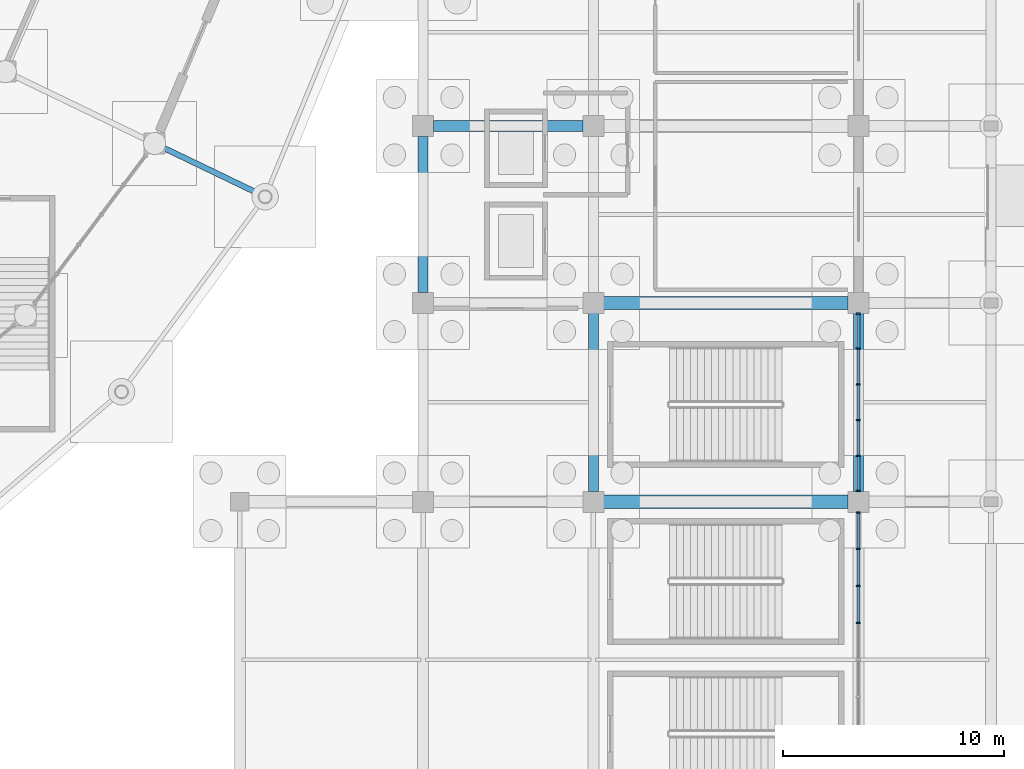
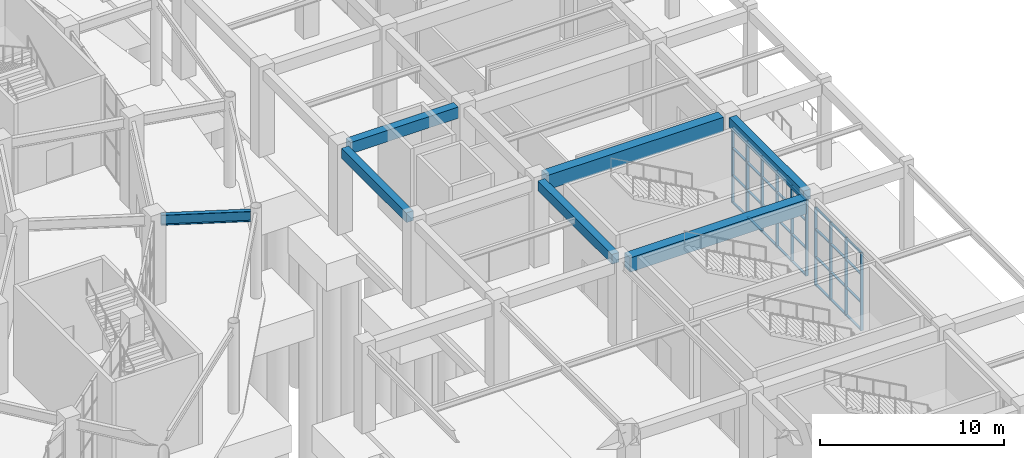
# One storey, part 55 of 121: 42 members, 7 beams, 2 elements without a shape of their own.
"""IFC4 building model written with IfcOpenShell, lengths in metres."""

from ifc_helpers import new_model, si_unit, direction, frame, origin, origin_2d, place, context, subcontext, project, spatial, rectangle, i_section, extrude, material, material_profile, profile_set, type_object, element, aggregate, save


model = new_model("IFC4")

# Units and contexts
model_context = context("Model", 3, precision=1e-05, world=origin(), true_north=direction((0.0, 1.0)))
body_context = subcontext(model_context, "Body", "Model", "MODEL_VIEW")
ifc_project = project(units=[si_unit("LENGTHUNIT", "METRE"), si_unit("AREAUNIT", "SQUARE_METRE"), si_unit("VOLUMEUNIT", "CUBIC_METRE"), si_unit("PLANEANGLEUNIT", "RADIAN"), si_unit("MASSUNIT", "GRAM", prefix="KILO")], contexts=[model_context])

# Site, building, storey
site_placement = place(None, origin())
site = spatial("IfcSite", under=ifc_project, at=site_placement, CompositionType="ELEMENT")
building_placement = place(site_placement, origin())
building = spatial("IfcBuilding", under=site, at=building_placement, Name="Cuetzalor Civic Arena", CompositionType="ELEMENT")
storey_placement = place(building_placement, origin())
storey = spatial("IfcBuildingStorey", under=building, at=storey_placement, Name="L00", CompositionType="ELEMENT", Elevation=0.0)

# Beams
ifc_material_1 = material(Name="Concrete C40/50", Category="concrete")
ifc_material_profile_1 = material_profile(ifc_material_1, rectangle(XDim=0.5, YDim=0.75, at=origin_2d()), Name="RC 500x750")
ifc_profile_set_1 = profile_set([ifc_material_profile_1], Name="Concrete C40/50")
beam_type_1 = type_object("IfcBeamType", Name="ConcreteFrameBeam_500x750", PredefinedType="BEAM", material=ifc_profile_set_1)
beam_1_placement = place(storey_placement, frame((56.764892578125, -17.0, 5.324951171875), z_axis=(1.0, 0.0, 0.0), x_axis=(0.0, 1.0, 0.0)))
element("IfcBeam", 1, at=beam_1_placement, inside=storey, type_object=beam_type_1, Name="Frame Girder V4E-L00-X0150", PredefinedType="BEAM", context=body_context, shape_type="SweptSolid", body=[
    extrude(rectangle(XDim=0.5, YDim=0.75, at=origin_2d()), origin(), (0.0, 0.0, 1.0), 6.77001953125),
])
ifc_material_2 = material(Name="Concrete C40/50", Category="concrete")
ifc_material_profile_2 = material_profile(ifc_material_2, rectangle(XDim=0.60009765625, YDim=0.949951171875, at=origin_2d()), Name="RC 600x950")
ifc_profile_set_2 = profile_set([ifc_material_profile_2], Name="Concrete C40/50")
beam_type_2 = type_object("IfcBeamType", Name="ConcreteFrameBeam_600x950", PredefinedType="BEAM", material=ifc_profile_set_2)
for number, where, z_axis, x_axis, name in (
    (2, (64.465087890625, -34.0, 5.22509765625), (1.0, 0.0, 0.0), (0.0, 1.0, 0.0), "Frame Girder V4E-L00-X0145"),
    (3, (64.465087890625, -25.0, 5.22509765625), (1.0, 0.0, 0.0), (0.0, 1.0, 0.0), "Frame Girder V4E-L00-X0148"),
):
    element("IfcBeam", number, at=place(storey_placement, frame(where, z_axis=z_axis, x_axis=x_axis)), inside=storey, type_object=beam_type_2, Name=name, PredefinedType="BEAM", context=body_context, shape_type="SweptSolid", body=[
        extrude(rectangle(XDim=0.60009765625, YDim=0.949951171875, at=origin_2d()), origin(), (0.0, 0.0, 1.0), 11.06982421875),
    ])
ifc_material_3 = material(Name="Concrete C40/50", Category="concrete")
ifc_material_profile_3 = material_profile(ifc_material_3, rectangle(XDim=0.449951171875, YDim=0.64990234375, at=origin_2d()), Name="RC 450x650")
ifc_profile_set_3 = profile_set([ifc_material_profile_3], Name="Concrete C40/50")
beam_type_3 = type_object("IfcBeamType", Name="ConcreteTieBeam_450x650", PredefinedType="BEAM", material=ifc_profile_set_3)
beam_2_placement = place(storey_placement, frame((56.300048828125, -24.534912109375, 5.375), z_axis=(0.0, 1.0, 0.0), x_axis=(-1.0, 0.0, 0.0)))
element("IfcBeam", 4, at=beam_2_placement, inside=storey, type_object=beam_type_3, Name="Frame Girder V4E-L00-Y0176", PredefinedType="BEAM", context=body_context, shape_type="SweptSolid", body=[
    extrude(rectangle(XDim=0.449951171875, YDim=0.64990234375, at=origin_2d()), origin(), (0.0, 0.0, 1.0), 7.06982421875),
])
for number, where, z_axis, x_axis, name in (
    (5, (64.0, -33.534912109375, 5.375), (0.0, 1.0, 0.0), (-1.0, 0.0, 0.0), "Frame Girder V4E-L00-Y0185"),
    (6, (76.0, -33.534912109375, 5.375), (0.0, 1.0, 0.0), (-1.0, 0.0, 0.0), "Frame Girder V4E-L00-Y0195"),
):
    element("IfcBeam", number, at=place(storey_placement, frame(where, z_axis=z_axis, x_axis=x_axis)), inside=storey, type_object=beam_type_3, Name=name, PredefinedType="BEAM", context=body_context, shape_type="SweptSolid", body=[
        extrude(rectangle(XDim=0.449951171875, YDim=0.64990234375, at=origin_2d()), origin(), (0.0, 0.0, 1.0), 8.06982421875),
    ])

# Curtain wall, members
ifc_material_4 = material(Name="Anodised dark bronze aluminium and low-E solar glass", Category="aluminium")
curtain_wall_type_1 = type_object("IfcCurtainWallType", Name="UnitisedCW_13400x5150", PredefinedType="USERDEFINED", material=ifc_material_4)
curtain_wall_1_placement = place(storey_placement, origin())
curtain_wall_1 = element("IfcCurtainWall", 7, at=curtain_wall_1_placement, inside=storey, type_object=curtain_wall_type_1, Name="V4E Colonnade Curtain Wall L00-131", ObjectType="UNITISED CURTAIN WALL", PredefinedType="USERDEFINED")
ifc_material_5 = material(Name="Anodised dark bronze aluminium", Category="aluminium")
ifc_material_profile_4 = material_profile(ifc_material_5, rectangle(XDim=0.070068359375, YDim=0.179931640625, at=origin_2d()), Name="ALU MULLION 70x180")
ifc_profile_set_4 = profile_set([ifc_material_profile_4], Name="Anodised dark bronze aluminium")
member_type_1 = type_object("IfcMemberType", Name="CurtainWallMullion_65x180", PredefinedType="MULLION", material=ifc_profile_set_4)
member_1_placement = place(storey_placement, frame((76.0, -34.491943359375, 0.0), z_axis=(0.0, 0.0, 1.0), x_axis=(0.0, -1.0, 0.0)))
member_1 = element("IfcMember", 8, at=member_1_placement, type_object=member_type_1, Name="CW-32 mullion 1", PredefinedType="MULLION", context=body_context, shape_type="SweptSolid", body=[
    extrude(rectangle(XDim=0.070068359375, YDim=0.179931640625, at=origin_2d()), origin(), (0.0, 0.0, 1.0), 5.156982421875),
])
member_2_placement = place(storey_placement, frame((76.0, -36.13037109375, 0.0), z_axis=(0.0, 0.0, 1.0), x_axis=(0.0, -1.0, 0.0)))
member_2 = element("IfcMember", 9, at=member_2_placement, type_object=member_type_1, Name="CW-32 mullion 2", PredefinedType="MULLION", context=body_context, shape_type="SweptSolid", body=[
    extrude(rectangle(XDim=0.070068359375, YDim=0.179931640625, at=origin_2d()), origin(), (0.0, 0.0, 1.0), 5.156982421875),
])
member_3_placement = place(storey_placement, frame((76.0, -37.803466796875, 0.0), z_axis=(0.0, 0.0, 1.0), x_axis=(0.0, -1.0, 0.0)))
member_3 = element("IfcMember", 10, at=member_3_placement, type_object=member_type_1, Name="CW-32 mullion 3", PredefinedType="MULLION", context=body_context, shape_type="SweptSolid", body=[
    extrude(rectangle(XDim=0.070068359375, YDim=0.179931640625, at=origin_2d()), origin(), (0.0, 0.0, 1.0), 5.156982421875),
])
member_4_placement = place(storey_placement, frame((76.0, -39.476806640625, 0.0), z_axis=(0.0, 0.0, 1.0), x_axis=(0.0, -1.0, 0.0)))
member_4 = element("IfcMember", 11, at=member_4_placement, type_object=member_type_1, Name="CW-32 mullion 4", PredefinedType="MULLION", context=body_context, shape_type="SweptSolid", body=[
    extrude(rectangle(XDim=0.070068359375, YDim=0.179931640625, at=origin_2d()), origin(), (0.0, 0.0, 1.0), 5.156982421875),
])

ifc_material_6 = material(Name="Anodised dark bronze aluminium and low-E solar glass", Category="aluminium")
curtain_wall_type_2 = type_object("IfcCurtainWallType", Name="UnitisedCW_8100x5050", PredefinedType="USERDEFINED", material=ifc_material_6)
curtain_wall_2_placement = place(storey_placement, origin())
curtain_wall_2 = element("IfcCurtainWall", 12, at=curtain_wall_2_placement, inside=storey, type_object=curtain_wall_type_2, Name="V4E Colonnade Curtain Wall L00-132", ObjectType="UNITISED CURTAIN WALL", PredefinedType="USERDEFINED")
member_5_placement = place(storey_placement, frame((76.0, -25.491943359375, 0.0), z_axis=(0.0, 0.0, 1.0), x_axis=(0.0, -1.0, 0.0)))
member_5 = element("IfcMember", 13, at=member_5_placement, type_object=member_type_1, Name="CW-33 mullion 1", PredefinedType="MULLION", context=body_context, shape_type="SweptSolid", body=[
    extrude(rectangle(XDim=0.070068359375, YDim=0.179931640625, at=origin_2d()), origin(), (0.0, 0.0, 1.0), 5.0400390625),
])
member_6_placement = place(storey_placement, frame((76.0, -27.07421875, 0.0), z_axis=(0.0, 0.0, 1.0), x_axis=(0.0, -1.0, 0.0)))
member_6 = element("IfcMember", 14, at=member_6_placement, type_object=member_type_1, Name="CW-33 mullion 2", PredefinedType="MULLION", context=body_context, shape_type="SweptSolid", body=[
    extrude(rectangle(XDim=0.070068359375, YDim=0.179931640625, at=origin_2d()), origin(), (0.0, 0.0, 1.0), 5.0400390625),
])
member_7_placement = place(storey_placement, frame((76.0, -28.69140625, 0.0), z_axis=(0.0, 0.0, 1.0), x_axis=(0.0, -1.0, 0.0)))
member_7 = element("IfcMember", 15, at=member_7_placement, type_object=member_type_1, Name="CW-33 mullion 3", PredefinedType="MULLION", context=body_context, shape_type="SweptSolid", body=[
    extrude(rectangle(XDim=0.070068359375, YDim=0.179931640625, at=origin_2d()), origin(), (0.0, 0.0, 1.0), 5.0400390625),
])
member_8_placement = place(storey_placement, frame((76.0, -30.30859375, 0.0), z_axis=(0.0, 0.0, 1.0), x_axis=(0.0, -1.0, 0.0)))
member_8 = element("IfcMember", 16, at=member_8_placement, type_object=member_type_1, Name="CW-33 mullion 4", PredefinedType="MULLION", context=body_context, shape_type="SweptSolid", body=[
    extrude(rectangle(XDim=0.070068359375, YDim=0.179931640625, at=origin_2d()), origin(), (0.0, 0.0, 1.0), 5.0400390625),
])
member_9_placement = place(storey_placement, frame((76.0, -31.92578125, 0.0), z_axis=(0.0, 0.0, 1.0), x_axis=(0.0, -1.0, 0.0)))
member_9 = element("IfcMember", 17, at=member_9_placement, type_object=member_type_1, Name="CW-33 mullion 5", PredefinedType="MULLION", context=body_context, shape_type="SweptSolid", body=[
    extrude(rectangle(XDim=0.070068359375, YDim=0.179931640625, at=origin_2d()), origin(), (0.0, 0.0, 1.0), 5.0400390625),
])
member_10_placement = place(storey_placement, frame((76.0, -33.508056640625, 0.0), z_axis=(0.0, 0.0, 1.0), x_axis=(0.0, -1.0, 0.0)))
member_10 = element("IfcMember", 18, at=member_10_placement, type_object=member_type_1, Name="CW-33 mullion 6", PredefinedType="MULLION", context=body_context, shape_type="SweptSolid", body=[
    extrude(rectangle(XDim=0.070068359375, YDim=0.179931640625, at=origin_2d()), origin(), (0.0, 0.0, 1.0), 5.0400390625),
])

# Member
ifc_material_7 = material(Name="Anodised dark bronze aluminium", Category="aluminium")
ifc_material_profile_5 = material_profile(ifc_material_7, rectangle(XDim=0.139892578125, YDim=0.070068359375, at=origin_2d()), Name="ALU TRANSOM 70x140")
ifc_profile_set_5 = profile_set([ifc_material_profile_5], Name="Anodised dark bronze aluminium")
member_type_2 = type_object("IfcMemberType", Name="CurtainWallTransom_65x140", PredefinedType="USERDEFINED", material=ifc_profile_set_5)
member_11_placement = place(storey_placement, frame((76.0, -34.527099609375, 0.034912109375), z_axis=(0.0, -1.0, 0.0), x_axis=(1.0, 0.0, 0.0)))
member_11 = element("IfcMember", 19, at=member_11_placement, type_object=member_type_2, Name="CW-32 transom 1.1", ObjectType="TRANSOM", PredefinedType="USERDEFINED", context=body_context, shape_type="SweptSolid", body=[
    extrude(rectangle(XDim=0.139892578125, YDim=0.070068359375, at=origin_2d()), origin(), (0.0, 0.0, 1.0), 1.568115234375),
])

member_12_placement = place(storey_placement, frame((76.0, -34.527099609375, 1.85693359375), z_axis=(0.0, -1.0, 0.0), x_axis=(1.0, 0.0, 0.0)))
member_12 = element("IfcMember", 20, at=member_12_placement, type_object=member_type_2, Name="CW-32 transom 1.2", ObjectType="TRANSOM", PredefinedType="USERDEFINED", context=body_context, shape_type="SweptSolid", body=[
    extrude(rectangle(XDim=0.139892578125, YDim=0.070068359375, at=origin_2d()), origin(), (0.0, 0.0, 1.0), 1.568115234375),
])

member_13_placement = place(storey_placement, frame((76.0, -34.527099609375, 3.712890625), z_axis=(0.0, -1.0, 0.0), x_axis=(1.0, 0.0, 0.0)))
member_13 = element("IfcMember", 21, at=member_13_placement, type_object=member_type_2, Name="CW-32 transom 1.3", ObjectType="TRANSOM", PredefinedType="USERDEFINED", context=body_context, shape_type="SweptSolid", body=[
    extrude(rectangle(XDim=0.139892578125, YDim=0.070068359375, at=origin_2d()), origin(), (0.0, 0.0, 1.0), 1.568115234375),
])

member_14_placement = place(storey_placement, frame((76.0, -34.527099609375, 5.1220703125), z_axis=(0.0, -1.0, 0.0), x_axis=(1.0, 0.0, 0.0)))
member_14 = element("IfcMember", 22, at=member_14_placement, type_object=member_type_2, Name="CW-32 transom 1.4", ObjectType="TRANSOM", PredefinedType="USERDEFINED", context=body_context, shape_type="SweptSolid", body=[
    extrude(rectangle(XDim=0.139892578125, YDim=0.070068359375, at=origin_2d()), origin(), (0.0, 0.0, 1.0), 1.568115234375),
])

member_15_placement = place(storey_placement, frame((76.0, -36.165283203125, 0.034912109375), z_axis=(0.0, -1.0, 0.0), x_axis=(1.0, 0.0, 0.0)))
member_15 = element("IfcMember", 23, at=member_15_placement, type_object=member_type_2, Name="CW-32 transom 2.1", ObjectType="TRANSOM", PredefinedType="USERDEFINED", context=body_context, shape_type="SweptSolid", body=[
    extrude(rectangle(XDim=0.139892578125, YDim=0.070068359375, at=origin_2d()), origin(), (0.0, 0.0, 1.0), 1.603271484375),
])

member_16_placement = place(storey_placement, frame((76.0, -36.165283203125, 1.85693359375), z_axis=(0.0, -1.0, 0.0), x_axis=(1.0, 0.0, 0.0)))
member_16 = element("IfcMember", 24, at=member_16_placement, type_object=member_type_2, Name="CW-32 transom 2.2", ObjectType="TRANSOM", PredefinedType="USERDEFINED", context=body_context, shape_type="SweptSolid", body=[
    extrude(rectangle(XDim=0.139892578125, YDim=0.070068359375, at=origin_2d()), origin(), (0.0, 0.0, 1.0), 1.603271484375),
])

member_17_placement = place(storey_placement, frame((76.0, -36.165283203125, 3.712890625), z_axis=(0.0, -1.0, 0.0), x_axis=(1.0, 0.0, 0.0)))
member_17 = element("IfcMember", 25, at=member_17_placement, type_object=member_type_2, Name="CW-32 transom 2.3", ObjectType="TRANSOM", PredefinedType="USERDEFINED", context=body_context, shape_type="SweptSolid", body=[
    extrude(rectangle(XDim=0.139892578125, YDim=0.070068359375, at=origin_2d()), origin(), (0.0, 0.0, 1.0), 1.603271484375),
])

member_18_placement = place(storey_placement, frame((76.0, -36.165283203125, 5.1220703125), z_axis=(0.0, -1.0, 0.0), x_axis=(1.0, 0.0, 0.0)))
member_18 = element("IfcMember", 26, at=member_18_placement, type_object=member_type_2, Name="CW-32 transom 2.4", ObjectType="TRANSOM", PredefinedType="USERDEFINED", context=body_context, shape_type="SweptSolid", body=[
    extrude(rectangle(XDim=0.139892578125, YDim=0.070068359375, at=origin_2d()), origin(), (0.0, 0.0, 1.0), 1.603271484375),
])

member_19_placement = place(storey_placement, frame((76.0, -37.83837890625, 0.034912109375), z_axis=(0.0, -1.0, 0.0), x_axis=(1.0, 0.0, 0.0)))
member_19 = element("IfcMember", 27, at=member_19_placement, type_object=member_type_2, Name="CW-32 transom 3.1", ObjectType="TRANSOM", PredefinedType="USERDEFINED", context=body_context, shape_type="SweptSolid", body=[
    extrude(rectangle(XDim=0.139892578125, YDim=0.070068359375, at=origin_2d()), origin(), (0.0, 0.0, 1.0), 1.603271484375),
])

member_20_placement = place(storey_placement, frame((76.0, -37.83837890625, 1.85693359375), z_axis=(0.0, -1.0, 0.0), x_axis=(1.0, 0.0, 0.0)))
member_20 = element("IfcMember", 28, at=member_20_placement, type_object=member_type_2, Name="CW-32 transom 3.2", ObjectType="TRANSOM", PredefinedType="USERDEFINED", context=body_context, shape_type="SweptSolid", body=[
    extrude(rectangle(XDim=0.139892578125, YDim=0.070068359375, at=origin_2d()), origin(), (0.0, 0.0, 1.0), 1.603271484375),
])

member_21_placement = place(storey_placement, frame((76.0, -37.83837890625, 3.712890625), z_axis=(0.0, -1.0, 0.0), x_axis=(1.0, 0.0, 0.0)))
member_21 = element("IfcMember", 29, at=member_21_placement, type_object=member_type_2, Name="CW-32 transom 3.3", ObjectType="TRANSOM", PredefinedType="USERDEFINED", context=body_context, shape_type="SweptSolid", body=[
    extrude(rectangle(XDim=0.139892578125, YDim=0.070068359375, at=origin_2d()), origin(), (0.0, 0.0, 1.0), 1.603271484375),
])

member_22_placement = place(storey_placement, frame((76.0, -37.83837890625, 5.1220703125), z_axis=(0.0, -1.0, 0.0), x_axis=(1.0, 0.0, 0.0)))
member_22 = element("IfcMember", 30, at=member_22_placement, type_object=member_type_2, Name="CW-32 transom 3.4", ObjectType="TRANSOM", PredefinedType="USERDEFINED", context=body_context, shape_type="SweptSolid", body=[
    extrude(rectangle(XDim=0.139892578125, YDim=0.070068359375, at=origin_2d()), origin(), (0.0, 0.0, 1.0), 1.603271484375),
])

aggregate(curtain_wall_1, [member_1, member_2, member_3, member_4, member_11, member_12, member_13, member_14, member_15, member_16, member_17, member_18, member_19, member_20, member_21, member_22])

member_23_placement = place(storey_placement, frame((76.0, -25.527099609375, 0.034912109375), z_axis=(0.0, -1.0, 0.0), x_axis=(1.0, 0.0, 0.0)))
member_23 = element("IfcMember", 31, at=member_23_placement, type_object=member_type_2, Name="CW-33 transom 1.1", ObjectType="TRANSOM", PredefinedType="USERDEFINED", context=body_context, shape_type="SweptSolid", body=[
    extrude(rectangle(XDim=0.139892578125, YDim=0.070068359375, at=origin_2d()), origin(), (0.0, 0.0, 1.0), 1.51220703125),
])

member_24_placement = place(storey_placement, frame((76.0, -25.527099609375, 1.81396484375), z_axis=(0.0, -1.0, 0.0), x_axis=(1.0, 0.0, 0.0)))
member_24 = element("IfcMember", 32, at=member_24_placement, type_object=member_type_2, Name="CW-33 transom 1.2", ObjectType="TRANSOM", PredefinedType="USERDEFINED", context=body_context, shape_type="SweptSolid", body=[
    extrude(rectangle(XDim=0.139892578125, YDim=0.070068359375, at=origin_2d()), origin(), (0.0, 0.0, 1.0), 1.51220703125),
])

member_25_placement = place(storey_placement, frame((76.0, -25.527099609375, 3.62890625), z_axis=(0.0, -1.0, 0.0), x_axis=(1.0, 0.0, 0.0)))
member_25 = element("IfcMember", 33, at=member_25_placement, type_object=member_type_2, Name="CW-33 transom 1.3", ObjectType="TRANSOM", PredefinedType="USERDEFINED", context=body_context, shape_type="SweptSolid", body=[
    extrude(rectangle(XDim=0.139892578125, YDim=0.070068359375, at=origin_2d()), origin(), (0.0, 0.0, 1.0), 1.51220703125),
])

member_26_placement = place(storey_placement, frame((76.0, -25.527099609375, 5.0048828125), z_axis=(0.0, -1.0, 0.0), x_axis=(1.0, 0.0, 0.0)))
member_26 = element("IfcMember", 34, at=member_26_placement, type_object=member_type_2, Name="CW-33 transom 1.4", ObjectType="TRANSOM", PredefinedType="USERDEFINED", context=body_context, shape_type="SweptSolid", body=[
    extrude(rectangle(XDim=0.139892578125, YDim=0.070068359375, at=origin_2d()), origin(), (0.0, 0.0, 1.0), 1.51220703125),
])

member_27_placement = place(storey_placement, frame((76.0, -27.109130859375, 0.034912109375), z_axis=(0.0, -1.0, 0.0), x_axis=(1.0, 0.0, 0.0)))
member_27 = element("IfcMember", 35, at=member_27_placement, type_object=member_type_2, Name="CW-33 transom 2.1", ObjectType="TRANSOM", PredefinedType="USERDEFINED", context=body_context, shape_type="SweptSolid", body=[
    extrude(rectangle(XDim=0.139892578125, YDim=0.070068359375, at=origin_2d()), origin(), (0.0, 0.0, 1.0), 1.54736328125),
])

member_28_placement = place(storey_placement, frame((76.0, -27.109130859375, 1.81396484375), z_axis=(0.0, -1.0, 0.0), x_axis=(1.0, 0.0, 0.0)))
member_28 = element("IfcMember", 36, at=member_28_placement, type_object=member_type_2, Name="CW-33 transom 2.2", ObjectType="TRANSOM", PredefinedType="USERDEFINED", context=body_context, shape_type="SweptSolid", body=[
    extrude(rectangle(XDim=0.139892578125, YDim=0.070068359375, at=origin_2d()), origin(), (0.0, 0.0, 1.0), 1.54736328125),
])

member_29_placement = place(storey_placement, frame((76.0, -27.109130859375, 3.62890625), z_axis=(0.0, -1.0, 0.0), x_axis=(1.0, 0.0, 0.0)))
member_29 = element("IfcMember", 37, at=member_29_placement, type_object=member_type_2, Name="CW-33 transom 2.3", ObjectType="TRANSOM", PredefinedType="USERDEFINED", context=body_context, shape_type="SweptSolid", body=[
    extrude(rectangle(XDim=0.139892578125, YDim=0.070068359375, at=origin_2d()), origin(), (0.0, 0.0, 1.0), 1.54736328125),
])

member_30_placement = place(storey_placement, frame((76.0, -27.109130859375, 5.0048828125), z_axis=(0.0, -1.0, 0.0), x_axis=(1.0, 0.0, 0.0)))
member_30 = element("IfcMember", 38, at=member_30_placement, type_object=member_type_2, Name="CW-33 transom 2.4", ObjectType="TRANSOM", PredefinedType="USERDEFINED", context=body_context, shape_type="SweptSolid", body=[
    extrude(rectangle(XDim=0.139892578125, YDim=0.070068359375, at=origin_2d()), origin(), (0.0, 0.0, 1.0), 1.54736328125),
])

member_31_placement = place(storey_placement, frame((76.0, -28.726318359375, 0.034912109375), z_axis=(0.0, -1.0, 0.0), x_axis=(1.0, 0.0, 0.0)))
member_31 = element("IfcMember", 39, at=member_31_placement, type_object=member_type_2, Name="CW-33 transom 3.1", ObjectType="TRANSOM", PredefinedType="USERDEFINED", context=body_context, shape_type="SweptSolid", body=[
    extrude(rectangle(XDim=0.139892578125, YDim=0.070068359375, at=origin_2d()), origin(), (0.0, 0.0, 1.0), 1.54736328125),
])

member_32_placement = place(storey_placement, frame((76.0, -28.726318359375, 1.81396484375), z_axis=(0.0, -1.0, 0.0), x_axis=(1.0, 0.0, 0.0)))
member_32 = element("IfcMember", 40, at=member_32_placement, type_object=member_type_2, Name="CW-33 transom 3.2", ObjectType="TRANSOM", PredefinedType="USERDEFINED", context=body_context, shape_type="SweptSolid", body=[
    extrude(rectangle(XDim=0.139892578125, YDim=0.070068359375, at=origin_2d()), origin(), (0.0, 0.0, 1.0), 1.54736328125),
])

member_33_placement = place(storey_placement, frame((76.0, -28.726318359375, 3.62890625), z_axis=(0.0, -1.0, 0.0), x_axis=(1.0, 0.0, 0.0)))
member_33 = element("IfcMember", 41, at=member_33_placement, type_object=member_type_2, Name="CW-33 transom 3.3", ObjectType="TRANSOM", PredefinedType="USERDEFINED", context=body_context, shape_type="SweptSolid", body=[
    extrude(rectangle(XDim=0.139892578125, YDim=0.070068359375, at=origin_2d()), origin(), (0.0, 0.0, 1.0), 1.54736328125),
])

member_34_placement = place(storey_placement, frame((76.0, -28.726318359375, 5.0048828125), z_axis=(0.0, -1.0, 0.0), x_axis=(1.0, 0.0, 0.0)))
member_34 = element("IfcMember", 42, at=member_34_placement, type_object=member_type_2, Name="CW-33 transom 3.4", ObjectType="TRANSOM", PredefinedType="USERDEFINED", context=body_context, shape_type="SweptSolid", body=[
    extrude(rectangle(XDim=0.139892578125, YDim=0.070068359375, at=origin_2d()), origin(), (0.0, 0.0, 1.0), 1.54736328125),
])

member_35_placement = place(storey_placement, frame((76.0, -30.343505859375, 0.034912109375), z_axis=(0.0, -1.0, 0.0), x_axis=(1.0, 0.0, 0.0)))
member_35 = element("IfcMember", 43, at=member_35_placement, type_object=member_type_2, Name="CW-33 transom 4.1", ObjectType="TRANSOM", PredefinedType="USERDEFINED", context=body_context, shape_type="SweptSolid", body=[
    extrude(rectangle(XDim=0.139892578125, YDim=0.070068359375, at=origin_2d()), origin(), (0.0, 0.0, 1.0), 1.54736328125),
])

member_36_placement = place(storey_placement, frame((76.0, -30.343505859375, 1.81396484375), z_axis=(0.0, -1.0, 0.0), x_axis=(1.0, 0.0, 0.0)))
member_36 = element("IfcMember", 44, at=member_36_placement, type_object=member_type_2, Name="CW-33 transom 4.2", ObjectType="TRANSOM", PredefinedType="USERDEFINED", context=body_context, shape_type="SweptSolid", body=[
    extrude(rectangle(XDim=0.139892578125, YDim=0.070068359375, at=origin_2d()), origin(), (0.0, 0.0, 1.0), 1.54736328125),
])

member_37_placement = place(storey_placement, frame((76.0, -30.343505859375, 3.62890625), z_axis=(0.0, -1.0, 0.0), x_axis=(1.0, 0.0, 0.0)))
member_37 = element("IfcMember", 45, at=member_37_placement, type_object=member_type_2, Name="CW-33 transom 4.3", ObjectType="TRANSOM", PredefinedType="USERDEFINED", context=body_context, shape_type="SweptSolid", body=[
    extrude(rectangle(XDim=0.139892578125, YDim=0.070068359375, at=origin_2d()), origin(), (0.0, 0.0, 1.0), 1.54736328125),
])

member_38_placement = place(storey_placement, frame((76.0, -30.343505859375, 5.0048828125), z_axis=(0.0, -1.0, 0.0), x_axis=(1.0, 0.0, 0.0)))
member_38 = element("IfcMember", 46, at=member_38_placement, type_object=member_type_2, Name="CW-33 transom 4.4", ObjectType="TRANSOM", PredefinedType="USERDEFINED", context=body_context, shape_type="SweptSolid", body=[
    extrude(rectangle(XDim=0.139892578125, YDim=0.070068359375, at=origin_2d()), origin(), (0.0, 0.0, 1.0), 1.54736328125),
])

member_39_placement = place(storey_placement, frame((76.0, -31.960693359375, 0.034912109375), z_axis=(0.0, -1.0, 0.0), x_axis=(1.0, 0.0, 0.0)))
member_39 = element("IfcMember", 47, at=member_39_placement, type_object=member_type_2, Name="CW-33 transom 5.1", ObjectType="TRANSOM", PredefinedType="USERDEFINED", context=body_context, shape_type="SweptSolid", body=[
    extrude(rectangle(XDim=0.139892578125, YDim=0.070068359375, at=origin_2d()), origin(), (0.0, 0.0, 1.0), 1.51220703125),
])

member_40_placement = place(storey_placement, frame((76.0, -31.960693359375, 1.81396484375), z_axis=(0.0, -1.0, 0.0), x_axis=(1.0, 0.0, 0.0)))
member_40 = element("IfcMember", 48, at=member_40_placement, type_object=member_type_2, Name="CW-33 transom 5.2", ObjectType="TRANSOM", PredefinedType="USERDEFINED", context=body_context, shape_type="SweptSolid", body=[
    extrude(rectangle(XDim=0.139892578125, YDim=0.070068359375, at=origin_2d()), origin(), (0.0, 0.0, 1.0), 1.51220703125),
])

member_41_placement = place(storey_placement, frame((76.0, -31.960693359375, 3.62890625), z_axis=(0.0, -1.0, 0.0), x_axis=(1.0, 0.0, 0.0)))
member_41 = element("IfcMember", 49, at=member_41_placement, type_object=member_type_2, Name="CW-33 transom 5.3", ObjectType="TRANSOM", PredefinedType="USERDEFINED", context=body_context, shape_type="SweptSolid", body=[
    extrude(rectangle(XDim=0.139892578125, YDim=0.070068359375, at=origin_2d()), origin(), (0.0, 0.0, 1.0), 1.51220703125),
])

member_42_placement = place(storey_placement, frame((76.0, -31.960693359375, 5.0048828125), z_axis=(0.0, -1.0, 0.0), x_axis=(1.0, 0.0, 0.0)))
member_42 = element("IfcMember", 50, at=member_42_placement, type_object=member_type_2, Name="CW-33 transom 5.4", ObjectType="TRANSOM", PredefinedType="USERDEFINED", context=body_context, shape_type="SweptSolid", body=[
    extrude(rectangle(XDim=0.139892578125, YDim=0.070068359375, at=origin_2d()), origin(), (0.0, 0.0, 1.0), 1.51220703125),
])

aggregate(curtain_wall_2, [member_5, member_6, member_7, member_8, member_9, member_10, member_23, member_24, member_25, member_26, member_27, member_28, member_29, member_30, member_31, member_32, member_33, member_34, member_35, member_36, member_37, member_38, member_39, member_40, member_41, member_42])

# Beam
ifc_material_8 = material(Name="Steel S355", Category="steel")
ifc_material_profile_6 = material_profile(ifc_material_8, i_section(OverallWidth=0.2529296875, OverallDepth=0.677978515625, WebThickness=0.01171875, FlangeThickness=0.016357421875, at=origin_2d()), Name="W690x125")
ifc_profile_set_6 = profile_set([ifc_material_profile_6], Name="Steel S355")
beam_type_4 = type_object("IfcBeamType", Name="SteelPrimaryGirder_W690", PredefinedType="BEAM", material=ifc_profile_set_6)
beam_3_placement = place(storey_placement, frame((44.4716796875, -17.9453125, 5.361083984375), z_axis=(0.900964883231, -0.433892013275, 0.0), x_axis=(0.433892013275, 0.900964883231, 0.0)))
element("IfcBeam", 51, at=beam_3_placement, inside=storey, type_object=beam_type_4, Name="Drum Radial Girder L00-R27", PredefinedType="BEAM", context=body_context, shape_type="SweptSolid", body=[
    extrude(i_section(OverallWidth=0.2529296875, OverallDepth=0.677978515625, WebThickness=0.01171875, FlangeThickness=0.016357421875, at=origin_2d()), origin(), (0.0, 0.0, 1.0), 4.900390625),
])

save(model, "model.ifc")
